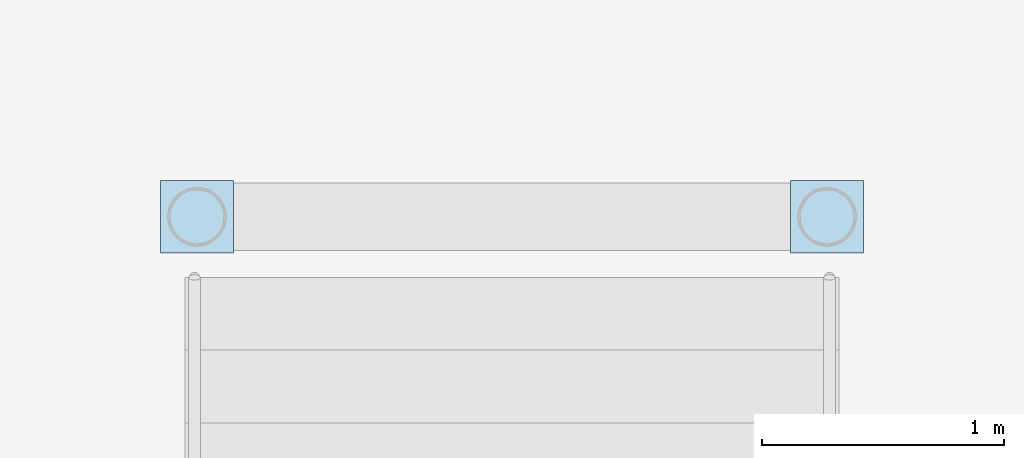
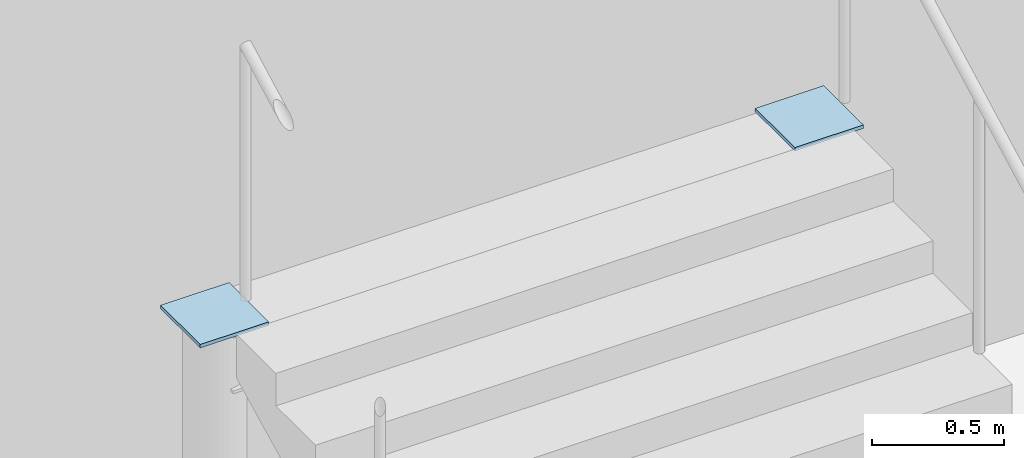
# One storey, part 59 of 77: 2 plates.
"""IFC4 building model written with IfcOpenShell, lengths in metres."""

from ifc_helpers import new_model, si_unit, direction, frame, origin, origin_2d, place, context, subcontext, project, spatial, rectangle, extrude, material, layer, layer_set, type_object, element, save


model = new_model("IFC4")

# Units and contexts
model_context = context("Model", 3, precision=1e-05, world=origin(), true_north=direction((0.0, 1.0)))
body_context = subcontext(model_context, "Body", "Model", "MODEL_VIEW")
ifc_project = project(units=[si_unit("LENGTHUNIT", "METRE"), si_unit("AREAUNIT", "SQUARE_METRE"), si_unit("VOLUMEUNIT", "CUBIC_METRE"), si_unit("PLANEANGLEUNIT", "RADIAN"), si_unit("MASSUNIT", "GRAM", prefix="KILO")], contexts=[model_context])

# Site, building, storey
site_placement = place(None, origin())
site = spatial("IfcSite", under=ifc_project, at=site_placement, CompositionType="ELEMENT")
building_placement = place(site_placement, origin())
building = spatial("IfcBuilding", under=site, at=building_placement, Name="Lykobir Media Centre", CompositionType="ELEMENT")
storey_placement = place(building_placement, origin())
storey = spatial("IfcBuildingStorey", under=building, at=storey_placement, Name="L00", CompositionType="ELEMENT", Elevation=0.0)

# Plates
ifc_material = material(Name="Steel S355", Category="steel")
ifc_layer = layer(ifc_material, 0.01611328125, Name="Steel S355")
ifc_layer_set = layer_set([ifc_layer], Name="Steel S355")
plate_type = type_object("IfcPlateType", Name="CP-280", PredefinedType="SHEET", material=ifc_layer_set)
for number, where, z_axis, x_axis, name in (
    (1, (74.199951171875, 85.3701171875, 5.159912109375), (0.0, 0.0, 1.0), (1.0, 0.0, 0.0), "Valley post cap 1"),
    (2, (76.800048828125, 85.3701171875, 5.159912109375), (0.0, 0.0, 1.0), (1.0, 0.0, 0.0), "Valley post cap 2"),
):
    element("IfcPlate", number, at=place(storey_placement, frame(where, z_axis=z_axis, x_axis=x_axis)), inside=storey, type_object=plate_type, Name=name, PredefinedType="SHEET", context=body_context, shape_type="SweptSolid", body=[
        extrude(rectangle(XDim=0.300048828125, YDim=0.300048828125, at=origin_2d()), origin(), (0.0, 0.0, 1.0), 0.01611328125),
    ])

save(model, "model.ifc")
